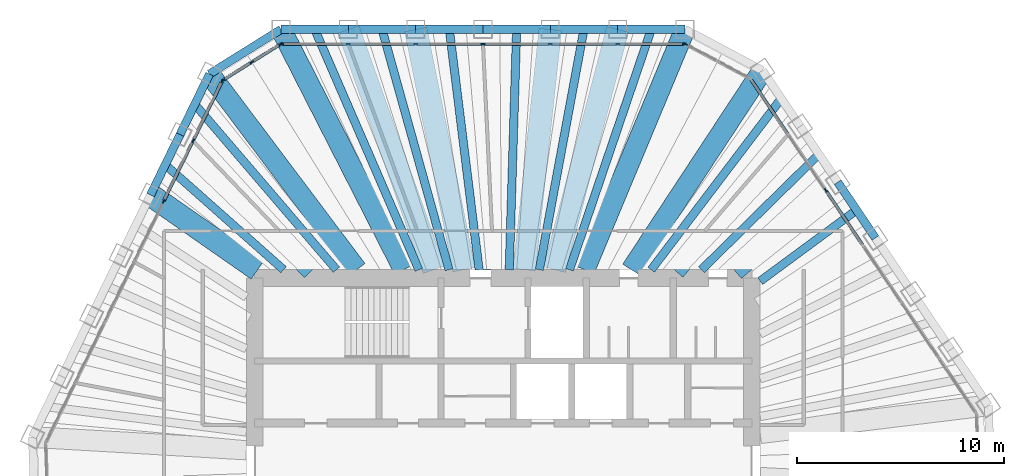
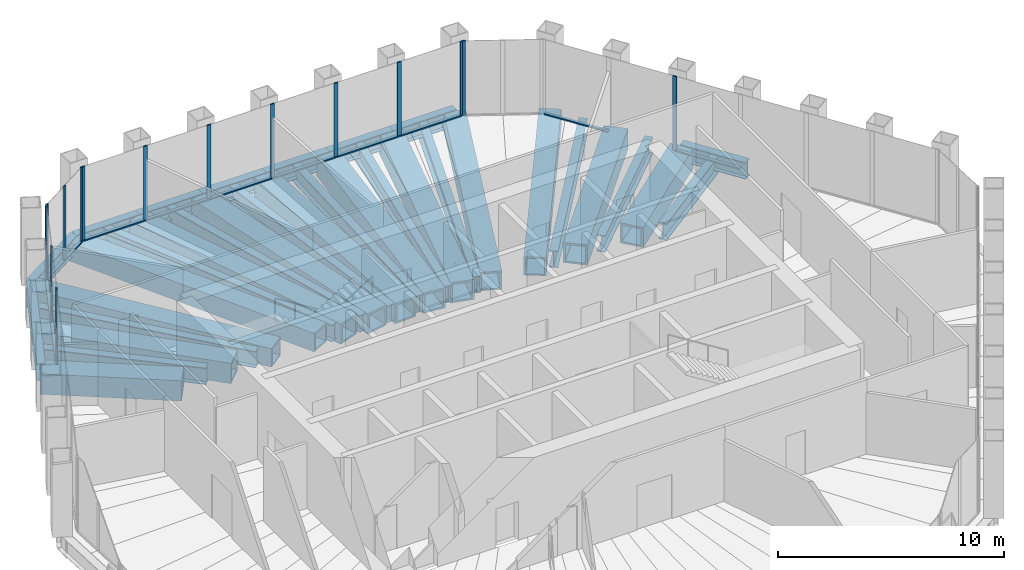
# One storey, part 7 of 14: 34 beams, 27 members, 5 elements without a shape of their own.
"""IFC4 building model written with IfcOpenShell, lengths in metres."""

from ifc_helpers import new_model, si_unit, direction, frame, origin, origin_2d, place, context, subcontext, project, spatial, rectangle, hollow_rectangle, i_section, extrude, material, material_profile, profile_set, type_object, element, aggregate, save


model = new_model("IFC4")

# Units and contexts
model_context = context("Model", 3, precision=1e-05, world=origin(), true_north=direction((0.0, 1.0)))
body_context = subcontext(model_context, "Body", "Model", "MODEL_VIEW")
ifc_project = project(units=[si_unit("LENGTHUNIT", "METRE"), si_unit("AREAUNIT", "SQUARE_METRE"), si_unit("VOLUMEUNIT", "CUBIC_METRE"), si_unit("PLANEANGLEUNIT", "RADIAN"), si_unit("MASSUNIT", "GRAM", prefix="KILO")], contexts=[model_context])

# Site, building, storey
site_placement = place(None, origin())
site = spatial("IfcSite", under=ifc_project, at=site_placement, CompositionType="ELEMENT")
building_placement = place(site_placement, origin())
building = spatial("IfcBuilding", under=site, at=building_placement, Name="Qingtian Harvest Tower", CompositionType="ELEMENT")
storey_placement = place(building_placement, frame((0.0, 0.0, 304.0)))
storey = spatial("IfcBuildingStorey", under=building, at=storey_placement, Name="L67", CompositionType="ELEMENT", Elevation=304.0)

# Beams
ifc_material_1 = material(Name="Steel SN490B", Category="steel")
ifc_material_profile_1 = material_profile(ifc_material_1, i_section(OverallWidth=0.39990234375, OverallDepth=0.89990234375, WebThickness=0.01904296875, FlangeThickness=0.035888671875, at=origin_2d()), Name="H900x400x19x36")
ifc_profile_set_1 = profile_set([ifc_material_profile_1], Name="Steel SN490B")
beam_type_1 = type_object("IfcBeamType", Name="Floor joist J4 H900x400x19x36", PredefinedType="JOIST", material=ifc_profile_set_1)
beam_1_placement = place(storey_placement, frame((-9.09814453125, 21.0, -0.6201171875), z_axis=(0.39753589741, -0.917586622761, 0.0), x_axis=(0.917586622761, 0.39753589741, 0.0)))
element("IfcBeam", 1, at=beam_1_placement, inside=storey, type_object=beam_type_1, Name="Floor joist J4 N0", PredefinedType="JOIST", context=body_context, shape_type="SweptSolid", body=[
    extrude(i_section(OverallWidth=0.39990234375, OverallDepth=0.89990234375, WebThickness=0.01904296875, FlangeThickness=0.035888671875, at=origin_2d()), origin(), (0.0, 0.0, 1.0), 12.641845703125),
])
beam_2_placement = place(storey_placement, frame((-5.85009765625, 21.0, -0.6201171875), z_axis=(0.268352758425, -0.963320713494, 0.0), x_axis=(0.963320713494, 0.268352758425, 0.0)))
element("IfcBeam", 2, at=beam_2_placement, inside=storey, type_object=beam_type_1, Name="Floor joist J4 N1", PredefinedType="JOIST", context=body_context, shape_type="SweptSolid", body=[
    extrude(i_section(OverallWidth=0.39990234375, OverallDepth=0.89990234375, WebThickness=0.01904296875, FlangeThickness=0.035888671875, at=origin_2d()), origin(), (0.0, 0.0, 1.0), 12.041748046875),
])
beam_3_placement = place(storey_placement, frame((-2.602294921875, 21.0, -0.6201171875), z_axis=(0.122980691304, -0.992409063626, 0.0), x_axis=(0.992409063626, 0.122980691304, 0.0)))
element("IfcBeam", 3, at=beam_3_placement, inside=storey, type_object=beam_type_1, Name="Floor joist J4 N2", PredefinedType="JOIST", context=body_context, shape_type="SweptSolid", body=[
    extrude(i_section(OverallWidth=0.39990234375, OverallDepth=0.89990234375, WebThickness=0.01904296875, FlangeThickness=0.035888671875, at=origin_2d()), origin(), (0.0, 0.0, 1.0), 11.688720703125),
])
beam_4_placement = place(storey_placement, frame((0.645751953125, 21.0, -0.6201171875), z_axis=(-0.030734305856, -0.999527589636, 0.0), x_axis=(0.999527589636, -0.030734305856, 0.0)))
element("IfcBeam", 4, at=beam_4_placement, inside=storey, type_object=beam_type_1, Name="Floor joist J4 N3", PredefinedType="JOIST", context=body_context, shape_type="SweptSolid", body=[
    extrude(i_section(OverallWidth=0.39990234375, OverallDepth=0.89990234375, WebThickness=0.01904296875, FlangeThickness=0.035888671875, at=origin_2d()), origin(), (0.0, 0.0, 1.0), 11.60546875),
])
beam_5_placement = place(storey_placement, frame((3.893798828125, 21.0, -0.6201171875), z_axis=(-0.182311561934, -0.983240812001, 0.0), x_axis=(0.983240812001, -0.182311561934, 0.0)))
element("IfcBeam", 5, at=beam_5_placement, inside=storey, type_object=beam_type_1, Name="Floor joist J4 N4", PredefinedType="JOIST", context=body_context, shape_type="SweptSolid", body=[
    extrude(i_section(OverallWidth=0.39990234375, OverallDepth=0.89990234375, WebThickness=0.01904296875, FlangeThickness=0.035888671875, at=origin_2d()), origin(), (0.0, 0.0, 1.0), 11.7978515625),
])
beam_6_placement = place(storey_placement, frame((7.141845703125, 21.0, -0.6201171875), z_axis=(-0.321978462512, -0.946746993488, 0.0), x_axis=(0.946746993488, -0.321978462512, 0.0)))
element("IfcBeam", 6, at=beam_6_placement, inside=storey, type_object=beam_type_1, Name="Floor joist J4 N5", PredefinedType="JOIST", context=body_context, shape_type="SweptSolid", body=[
    extrude(i_section(OverallWidth=0.39990234375, OverallDepth=0.89990234375, WebThickness=0.01904296875, FlangeThickness=0.035888671875, at=origin_2d()), origin(), (0.0, 0.0, 1.0), 12.252685546875),
])
beam_7_placement = place(storey_placement, frame((13.416015625, 17.6640625, -0.6201171875), z_axis=(-0.604829724016, -0.796354823522, 0.0), x_axis=(0.796354823522, -0.604829724016, 0.0)))
element("IfcBeam", 7, at=beam_7_placement, inside=storey, type_object=beam_type_1, Name="Floor joist J4 NE0", PredefinedType="JOIST", context=body_context, shape_type="SweptSolid", body=[
    extrude(i_section(OverallWidth=0.39990234375, OverallDepth=0.89990234375, WebThickness=0.01904296875, FlangeThickness=0.035888671875, at=origin_2d()), origin(), (0.0, 0.0, 1.0), 10.37744140625),
])
beam_8_placement = place(storey_placement, frame((15.232421875, 14.97119140625, -0.6201171875), z_axis=(-0.713193091885, -0.700967626704, 0.0), x_axis=(0.700967626704, -0.713193091885, 0.0)))
element("IfcBeam", 8, at=beam_8_placement, inside=storey, type_object=beam_type_1, Name="Floor joist J4 NE1", PredefinedType="JOIST", context=body_context, shape_type="SweptSolid", body=[
    extrude(i_section(OverallWidth=0.39990234375, OverallDepth=0.89990234375, WebThickness=0.01904296875, FlangeThickness=0.035888671875, at=origin_2d()), origin(), (0.0, 0.0, 1.0), 7.947998046875),
])
beam_9_placement = place(storey_placement, frame((17.048583984375, 12.278564453125, -0.6201171875), z_axis=(-0.804797608796, -0.59354933146, 0.0), x_axis=(0.59354933146, -0.804797608796, 0.0)))
element("IfcBeam", 9, at=beam_9_placement, inside=storey, type_object=beam_type_1, Name="Floor joist J4 NE2", PredefinedType="JOIST", context=body_context, shape_type="SweptSolid", body=[
    extrude(i_section(OverallWidth=0.39990234375, OverallDepth=0.89990234375, WebThickness=0.01904296875, FlangeThickness=0.035888671875, at=origin_2d()), origin(), (0.0, 0.0, 1.0), 5.776123046875),
])
beam_10_placement = place(storey_placement, frame((-16.31005859375, 14.4638671875, -0.6201171875), z_axis=(0.748174776717, -0.663501698177, 0.0), x_axis=(0.663501698177, 0.748174776717, 0.0)))
element("IfcBeam", 10, at=beam_10_placement, inside=storey, type_object=beam_type_1, Name="Floor joist J4 NW4", PredefinedType="JOIST", context=body_context, shape_type="SweptSolid", body=[
    extrude(i_section(OverallWidth=0.39990234375, OverallDepth=0.89990234375, WebThickness=0.01904296875, FlangeThickness=0.035888671875, at=origin_2d()), origin(), (0.0, 0.0, 1.0), 7.632080078125),
])
beam_11_placement = place(storey_placement, frame((-14.88623046875, 17.38330078125, -0.6201171875), z_axis=(0.650435500933, -0.75956149134, 0.0), x_axis=(0.75956149134, 0.650435500933, 0.0)))
element("IfcBeam", 11, at=beam_11_placement, inside=storey, type_object=beam_type_1, Name="Floor joist J4 NW5", PredefinedType="JOIST", context=body_context, shape_type="SweptSolid", body=[
    extrude(i_section(OverallWidth=0.39990234375, OverallDepth=0.89990234375, WebThickness=0.01904296875, FlangeThickness=0.035888671875, at=origin_2d()), origin(), (0.0, 0.0, 1.0), 10.510498046875),
])

# Curtain wall, members
ifc_material_2 = material(Name="Bronze-anodised aluminium curtain wall", Category="aluminium")
curtain_wall_type = type_object("IfcCurtainWallType", Name="Curtain wall CW5 upper office", PredefinedType="USERDEFINED", material=ifc_material_2)
curtain_wall_1_placement = place(storey_placement, origin())
curtain_wall_1 = element("IfcCurtainWall", 12, at=curtain_wall_1_placement, inside=storey, type_object=curtain_wall_type, Name="Curtain wall CW5 L67 N0-5", ObjectType="RECESSED CURTAIN WALL", PredefinedType="USERDEFINED")
ifc_material_3 = material(Name="Bronze-anodised aluminium mullion", Category="aluminium")
ifc_material_profile_2 = material_profile(ifc_material_3, rectangle(XDim=0.06494140625, YDim=0.199951171875, at=origin_2d()), Name="AL 65x200")
ifc_profile_set_2 = profile_set([ifc_material_profile_2], Name="Bronze-anodised aluminium mullion")
member_type_1 = type_object("IfcMemberType", Name="Mullion CWM 65x200", PredefinedType="MULLION", material=ifc_profile_set_2)
member_1_placement = place(storey_placement, frame((-10.689697265625, 20.300048828125, 0.0), z_axis=(0.0, 0.0, 1.0), x_axis=(0.0, 1.0, 0.0)))
member_1 = element("IfcMember", 13, at=member_1_placement, type_object=member_type_1, Name="CW5 mullion 1", PredefinedType="MULLION", context=body_context, shape_type="SweptSolid", body=[
    extrude(rectangle(XDim=0.06494140625, YDim=0.199951171875, at=origin_2d()), origin(), (0.0, 0.0, 1.0), 4.030029296875),
])
member_2_placement = place(storey_placement, frame((-7.47412109375, 20.300048828125, 0.0), z_axis=(0.0, 0.0, 1.0), x_axis=(0.0, 1.0, 0.0)))
member_2 = element("IfcMember", 14, at=member_2_placement, type_object=member_type_1, Name="CW5 mullion 2", PredefinedType="MULLION", context=body_context, shape_type="SweptSolid", body=[
    extrude(rectangle(XDim=0.06494140625, YDim=0.199951171875, at=origin_2d()), origin(), (0.0, 0.0, 1.0), 4.030029296875),
])
member_3_placement = place(storey_placement, frame((-4.226318359375, 20.300048828125, 0.0), z_axis=(0.0, 0.0, 1.0), x_axis=(0.0, 1.0, 0.0)))
member_3 = element("IfcMember", 15, at=member_3_placement, type_object=member_type_1, Name="CW5 mullion 3", PredefinedType="MULLION", context=body_context, shape_type="SweptSolid", body=[
    extrude(rectangle(XDim=0.06494140625, YDim=0.199951171875, at=origin_2d()), origin(), (0.0, 0.0, 1.0), 4.030029296875),
])
member_4_placement = place(storey_placement, frame((-0.978271484375, 20.300048828125, 0.0), z_axis=(0.0, 0.0, 1.0), x_axis=(0.0, 1.0, 0.0)))
member_4 = element("IfcMember", 16, at=member_4_placement, type_object=member_type_1, Name="CW5 mullion 4", PredefinedType="MULLION", context=body_context, shape_type="SweptSolid", body=[
    extrude(rectangle(XDim=0.06494140625, YDim=0.199951171875, at=origin_2d()), origin(), (0.0, 0.0, 1.0), 4.030029296875),
])
member_5_placement = place(storey_placement, frame((2.269775390625, 20.300048828125, 0.0), z_axis=(0.0, 0.0, 1.0), x_axis=(0.0, 1.0, 0.0)))
member_5 = element("IfcMember", 17, at=member_5_placement, type_object=member_type_1, Name="CW5 mullion 5", PredefinedType="MULLION", context=body_context, shape_type="SweptSolid", body=[
    extrude(rectangle(XDim=0.06494140625, YDim=0.199951171875, at=origin_2d()), origin(), (0.0, 0.0, 1.0), 4.030029296875),
])
member_6_placement = place(storey_placement, frame((5.517822265625, 20.300048828125, 0.0), z_axis=(0.0, 0.0, 1.0), x_axis=(0.0, 1.0, 0.0)))
member_6 = element("IfcMember", 18, at=member_6_placement, type_object=member_type_1, Name="CW5 mullion 6", PredefinedType="MULLION", context=body_context, shape_type="SweptSolid", body=[
    extrude(rectangle(XDim=0.06494140625, YDim=0.199951171875, at=origin_2d()), origin(), (0.0, 0.0, 1.0), 4.030029296875),
])
member_7_placement = place(storey_placement, frame((8.7333984375, 20.300048828125, 0.0), z_axis=(0.0, 0.0, 1.0), x_axis=(0.0, 1.0, 0.0)))
member_7 = element("IfcMember", 19, at=member_7_placement, type_object=member_type_1, Name="CW5 mullion 7", PredefinedType="MULLION", context=body_context, shape_type="SweptSolid", body=[
    extrude(rectangle(XDim=0.06494140625, YDim=0.199951171875, at=origin_2d()), origin(), (0.0, 0.0, 1.0), 4.030029296875),
])

# Curtain wall, member
curtain_wall_2_placement = place(storey_placement, origin())
curtain_wall_2 = element("IfcCurtainWall", 20, at=curtain_wall_2_placement, inside=storey, type_object=curtain_wall_type, Name="Curtain wall CW5 L67 NC", ObjectType="RECESSED CURTAIN WALL", PredefinedType="USERDEFINED")
member_8_placement = place(storey_placement, frame((8.794677734375, 20.28466796875, 0.0), z_axis=(0.0, 0.0, 1.0), x_axis=(0.469471562786, 0.882947592859, 0.0)))
member_8 = element("IfcMember", 21, at=member_8_placement, type_object=member_type_1, Name="CW5 mullion 1", PredefinedType="MULLION", context=body_context, shape_type="SweptSolid", body=[
    extrude(rectangle(XDim=0.06494140625, YDim=0.199951171875, at=origin_2d()), origin(), (0.0, 0.0, 1.0), 4.030029296875),
])
aggregate(curtain_wall_2, [member_8])

curtain_wall_3_placement = place(storey_placement, origin())
curtain_wall_3 = element("IfcCurtainWall", 22, at=curtain_wall_3_placement, inside=storey, type_object=curtain_wall_type, Name="Curtain wall CW5 L67 NE0-5", ObjectType="RECESSED CURTAIN WALL", PredefinedType="USERDEFINED")
member_9_placement = place(storey_placement, frame((15.56005859375, 13.2333984375, 0.0), z_axis=(0.0, 0.0, 1.0), x_axis=(0.829037572555, 0.559192903471, 0.0)))
member_9 = element("IfcMember", 23, at=member_9_placement, type_object=member_type_1, Name="CW5 mullion 3", PredefinedType="MULLION", context=body_context, shape_type="SweptSolid", body=[
    extrude(rectangle(XDim=0.06494140625, YDim=0.199951171875, at=origin_2d()), origin(), (0.0, 0.0, 1.0), 4.030029296875),
])

# Curtain wall, members
curtain_wall_4_placement = place(storey_placement, origin())
curtain_wall_4 = element("IfcCurtainWall", 24, at=curtain_wall_4_placement, inside=storey, type_object=curtain_wall_type, Name="Curtain wall CW5 L67 NW0-5", ObjectType="RECESSED CURTAIN WALL", PredefinedType="USERDEFINED")
member_10_placement = place(storey_placement, frame((-16.392822265625, 12.697509765625, 0.0), z_axis=(0.0, 0.0, 1.0), x_axis=(-0.898794046299, 0.438371146789, 0.0)))
member_10 = element("IfcMember", 25, at=member_10_placement, type_object=member_type_1, Name="CW5 mullion 5", PredefinedType="MULLION", context=body_context, shape_type="SweptSolid", body=[
    extrude(rectangle(XDim=0.06494140625, YDim=0.199951171875, at=origin_2d()), origin(), (0.0, 0.0, 1.0), 4.030029296875),
])
member_11_placement = place(storey_placement, frame((-14.968994140625, 15.61669921875, 0.0), z_axis=(0.0, 0.0, 1.0), x_axis=(-0.898794046299, 0.438371146789, 0.0)))
member_11 = element("IfcMember", 26, at=member_11_placement, type_object=member_type_1, Name="CW5 mullion 6", PredefinedType="MULLION", context=body_context, shape_type="SweptSolid", body=[
    extrude(rectangle(XDim=0.06494140625, YDim=0.199951171875, at=origin_2d()), origin(), (0.0, 0.0, 1.0), 4.030029296875),
])
member_12_placement = place(storey_placement, frame((-13.559326171875, 18.5068359375, 0.0), z_axis=(0.0, 0.0, 1.0), x_axis=(-0.898794046299, 0.438371146789, 0.0)))
member_12 = element("IfcMember", 27, at=member_12_placement, type_object=member_type_1, Name="CW5 mullion 7", PredefinedType="MULLION", context=body_context, shape_type="SweptSolid", body=[
    extrude(rectangle(XDim=0.06494140625, YDim=0.199951171875, at=origin_2d()), origin(), (0.0, 0.0, 1.0), 4.030029296875),
])

curtain_wall_5_placement = place(storey_placement, origin())
curtain_wall_5 = element("IfcCurtainWall", 28, at=curtain_wall_5_placement, inside=storey, type_object=curtain_wall_type, Name="Curtain wall CW5 L67 NWC", ObjectType="RECESSED CURTAIN WALL", PredefinedType="USERDEFINED")
member_13_placement = place(storey_placement, frame((-13.517578125, 18.55322265625, 0.0), z_axis=(0.0, 0.0, 1.0), x_axis=(-0.529919264233, 0.848048096156, 0.0)))
member_13 = element("IfcMember", 29, at=member_13_placement, type_object=member_type_1, Name="CW5 mullion 1", PredefinedType="MULLION", context=body_context, shape_type="SweptSolid", body=[
    extrude(rectangle(XDim=0.06494140625, YDim=0.199951171875, at=origin_2d()), origin(), (0.0, 0.0, 1.0), 4.030029296875),
])
member_14_placement = place(storey_placement, frame((-12.1337890625, 19.41796875, 0.0), z_axis=(0.0, 0.0, 1.0), x_axis=(-0.529919264233, 0.848048096156, 0.0)))
member_14 = element("IfcMember", 30, at=member_14_placement, type_object=member_type_1, Name="CW5 mullion 2", PredefinedType="MULLION", context=body_context, shape_type="SweptSolid", body=[
    extrude(rectangle(XDim=0.06494140625, YDim=0.199951171875, at=origin_2d()), origin(), (0.0, 0.0, 1.0), 4.030029296875),
])
member_15_placement = place(storey_placement, frame((-10.749755859375, 20.28271484375, 0.0), z_axis=(0.0, 0.0, 1.0), x_axis=(-0.529919264233, 0.848048096156, 0.0)))
member_15 = element("IfcMember", 31, at=member_15_placement, type_object=member_type_1, Name="CW5 mullion 3", PredefinedType="MULLION", context=body_context, shape_type="SweptSolid", body=[
    extrude(rectangle(XDim=0.06494140625, YDim=0.199951171875, at=origin_2d()), origin(), (0.0, 0.0, 1.0), 4.030029296875),
])

# Beams
ifc_material_4 = material(Name="Steel SN490B", Category="steel")
ifc_material_profile_3 = material_profile(ifc_material_4, i_section(OverallWidth=0.39990234375, OverallDepth=0.89990234375, WebThickness=0.01904296875, FlangeThickness=0.035888671875, at=origin_2d()), Name="H900x400x19x36")
ifc_profile_set_3 = profile_set([ifc_material_profile_3], Name="Steel SN490B")
beam_type_2 = type_object("IfcBeamType", Name="Spandrel beam SB4 H900x400x19x36", PredefinedType="SPANDREL", material=ifc_profile_set_3)
beam_12_placement = place(storey_placement, frame((-10.72216796875, 21.0, -0.449951171875), z_axis=(1.0, 0.0, 0.0), x_axis=(0.0, 1.0, 0.0)))
element("IfcBeam", 32, at=beam_12_placement, inside=storey, type_object=beam_type_2, Name="Spandrel SB4 N0", PredefinedType="SPANDREL", context=body_context, shape_type="SweptSolid", body=[
    extrude(i_section(OverallWidth=0.39990234375, OverallDepth=0.89990234375, WebThickness=0.01904296875, FlangeThickness=0.035888671875, at=origin_2d()), origin(), (0.0, 0.0, 1.0), 3.248046875),
])
beam_13_placement = place(storey_placement, frame((-7.47412109375, 21.0, -0.449951171875), z_axis=(1.0, 0.0, 0.0), x_axis=(0.0, 1.0, 0.0)))
element("IfcBeam", 33, at=beam_13_placement, inside=storey, type_object=beam_type_2, Name="Spandrel SB4 N1", PredefinedType="SPANDREL", context=body_context, shape_type="SweptSolid", body=[
    extrude(i_section(OverallWidth=0.39990234375, OverallDepth=0.89990234375, WebThickness=0.01904296875, FlangeThickness=0.035888671875, at=origin_2d()), origin(), (0.0, 0.0, 1.0), 3.247802734375),
])
for number, where, z_axis, x_axis, name in (
    (34, (-4.226318359375, 21.0, -0.449951171875), (1.0, 0.0, 0.0), (0.0, 1.0, 0.0), "Spandrel SB4 N2"),
    (35, (-0.978271484375, 21.0, -0.449951171875), (1.0, 0.0, 0.0), (0.0, 1.0, 0.0), "Spandrel SB4 N3"),
    (36, (2.269775390625, 21.0, -0.449951171875), (1.0, 0.0, 0.0), (0.0, 1.0, 0.0), "Spandrel SB4 N4"),
    (37, (5.517822265625, 21.0, -0.449951171875), (1.0, 0.0, 0.0), (0.0, 1.0, 0.0), "Spandrel SB4 N5"),
):
    element("IfcBeam", number, at=place(storey_placement, frame(where, z_axis=z_axis, x_axis=x_axis)), inside=storey, type_object=beam_type_2, Name=name, PredefinedType="SPANDREL", context=body_context, shape_type="SweptSolid", body=[
        extrude(i_section(OverallWidth=0.39990234375, OverallDepth=0.89990234375, WebThickness=0.01904296875, FlangeThickness=0.035888671875, at=origin_2d()), origin(), (0.0, 0.0, 1.0), 3.248046875),
    ])
for number, where, z_axis, x_axis, name in (
    (38, (16.140625, 13.624755859375, -0.449951171875), (0.559184924833, -0.829042954158, 0.0), (0.829042954158, 0.559184924833, 0.0), "Spandrel SB4 NE2"),
    (39, (-17.02197265625, 13.00439453125, -0.449951171875), (0.438382164311, 0.898788672611, 0.0), (-0.898788672611, 0.438382164311, 0.0), "Spandrel SB4 NW4"),
    (40, (-15.59814453125, 15.923583984375, -0.449951171875), (0.438382164311, 0.898788672611, 0.0), (-0.898788672611, 0.438382164311, 0.0), "Spandrel SB4 NW5"),
):
    element("IfcBeam", number, at=place(storey_placement, frame(where, z_axis=z_axis, x_axis=x_axis)), inside=storey, type_object=beam_type_2, Name=name, PredefinedType="SPANDREL", context=body_context, shape_type="SweptSolid", body=[
        extrude(i_section(OverallWidth=0.39990234375, OverallDepth=0.89990234375, WebThickness=0.01904296875, FlangeThickness=0.035888671875, at=origin_2d()), origin(), (0.0, 0.0, 1.0), 3.247802734375),
    ])
beam_14_placement = place(storey_placement, frame((-14.17431640625, 18.8427734375, -0.449951171875), z_axis=(0.848038733752, 0.529934246919, 0.0), x_axis=(-0.529934246919, 0.848038733752, 0.0)))
element("IfcBeam", 41, at=beam_14_placement, inside=storey, type_object=beam_type_2, Name="Spandrel SB4 NWC", PredefinedType="SPANDREL", context=body_context, shape_type="SweptSolid", body=[
    extrude(i_section(OverallWidth=0.39990234375, OverallDepth=0.89990234375, WebThickness=0.01904296875, FlangeThickness=0.035888671875, at=origin_2d()), origin(), (0.0, 0.0, 1.0), 4.07080078125),
])
ifc_material_5 = material(Name="Steel SM570MC", Category="steel")
ifc_material_profile_4 = material_profile(ifc_material_5, hollow_rectangle(XDim=1.0, YDim=1.0, WallThickness=0.080078125, at=origin_2d()), Name="BOX1000x1000x80")
ifc_profile_set_4 = profile_set([ifc_material_profile_4], Name="Steel SM570MC")
beam_type_3 = type_object("IfcBeamType", Name="Transfer corner beam FB11 BOX1000x1000x80", PredefinedType="BEAM", material=ifc_profile_set_4)
beam_15_placement = place(storey_placement, frame((-10.72216796875, 21.0, -0.669921875), z_axis=(0.454725592954, -0.890631593372, 0.0), x_axis=(0.890631593372, 0.454725592954, 0.0)))
element("IfcBeam", 42, at=beam_15_placement, inside=storey, type_object=beam_type_3, Name="Floor beam FB11 N0", PredefinedType="BEAM", context=body_context, shape_type="SweptSolid", body=[
    extrude(hollow_rectangle(XDim=1.0, YDim=1.0, WallThickness=0.080078125, at=origin_2d()), origin(), (0.0, 0.0, 1.0), 13.024658203125),
])
beam_16_placement = place(storey_placement, frame((8.765869140625, 21.0, -0.669921875), z_axis=(-0.385202803059, -0.922831945977, 0.0), x_axis=(0.922831945977, -0.385202803059, 0.0)))
element("IfcBeam", 43, at=beam_16_placement, inside=storey, type_object=beam_type_3, Name="Floor beam FB11 N6", PredefinedType="BEAM", context=body_context, shape_type="SweptSolid", body=[
    extrude(hollow_rectangle(XDim=1.0, YDim=1.0, WallThickness=0.080078125, at=origin_2d()), origin(), (0.0, 0.0, 1.0), 12.570068359375),
])
beam_17_placement = place(storey_placement, frame((12.508056640625, 19.01025390625, -0.669921875), z_axis=(-0.549655478371, -0.835391438247, 0.0), x_axis=(0.835391438247, -0.549655478371, 0.0)))
element("IfcBeam", 44, at=beam_17_placement, inside=storey, type_object=beam_type_3, Name="Floor beam FB11 NE0", PredefinedType="BEAM", context=body_context, shape_type="SweptSolid", body=[
    extrude(hollow_rectangle(XDim=1.0, YDim=1.0, WallThickness=0.080078125, at=origin_2d()), origin(), (0.0, 0.0, 1.0), 11.50390625),
])
beam_18_placement = place(storey_placement, frame((-14.17431640625, 18.8427734375, -0.669921875), z_axis=(0.601143201392, -0.799141321307, 0.0), x_axis=(0.799141321307, 0.601143201392, 0.0)))
element("IfcBeam", 45, at=beam_18_placement, inside=storey, type_object=beam_type_3, Name="Floor beam FB11 NW6", PredefinedType="BEAM", context=body_context, shape_type="SweptSolid", body=[
    extrude(hollow_rectangle(XDim=1.0, YDim=1.0, WallThickness=0.080078125, at=origin_2d()), origin(), (0.0, 0.0, 1.0), 11.816162109375),
])
ifc_material_6 = material(Name="Steel SM570MC", Category="steel")
ifc_material_profile_5 = material_profile(ifc_material_6, hollow_rectangle(XDim=1.10009765625, YDim=1.10009765625, WallThickness=0.10009765625, at=origin_2d()), Name="BOX1100x1100x100")
ifc_profile_set_5 = profile_set([ifc_material_profile_5], Name="Steel SM570MC")
beam_type_4 = type_object("IfcBeamType", Name="Transfer floor beam FB9 BOX1100x1100x100", PredefinedType="BEAM", material=ifc_profile_set_5)
beam_19_placement = place(storey_placement, frame((-7.47412109375, 21.0, -0.719970703125), z_axis=(0.335293644082, -0.942113672673, 0.0), x_axis=(0.942113672673, 0.335293644082, 0.0)))
element("IfcBeam", 46, at=beam_19_placement, inside=storey, type_object=beam_type_4, Name="Floor beam FB9 N1", PredefinedType="BEAM", context=body_context, shape_type="SweptSolid", body=[
    extrude(hollow_rectangle(XDim=1.10009765625, YDim=1.10009765625, WallThickness=0.10009765625, at=origin_2d()), origin(), (0.0, 0.0, 1.0), 12.312744140625),
])
beam_20_placement = place(storey_placement, frame((-4.226318359375, 21.0, -0.719970703125), z_axis=(0.197290474792, -0.980345076265, 0.0), x_axis=(0.980345076265, 0.197290474792, 0.0)))
element("IfcBeam", 47, at=beam_20_placement, inside=storey, type_object=beam_type_4, Name="Floor beam FB9 N2", PredefinedType="BEAM", context=body_context, shape_type="SweptSolid", body=[
    extrude(hollow_rectangle(XDim=1.10009765625, YDim=1.10009765625, WallThickness=0.10009765625, at=origin_2d()), origin(), (0.0, 0.0, 1.0), 11.832763671875),
])
beam_21_placement = place(storey_placement, frame((-0.978271484375, 21.0, -0.719970703125), z_axis=(0.046546287853, -0.998916134161, 0.0), x_axis=(0.998916134161, 0.046546287853, 0.0)))
element("IfcBeam", 48, at=beam_21_placement, inside=storey, type_object=beam_type_4, Name="Floor beam FB9 N3", PredefinedType="BEAM", context=body_context, shape_type="SweptSolid", body=[
    extrude(hollow_rectangle(XDim=1.10009765625, YDim=1.10009765625, WallThickness=0.10009765625, at=origin_2d()), origin(), (0.0, 0.0, 1.0), 11.61279296875),
])
beam_22_placement = place(storey_placement, frame((2.269775390625, 21.0, -0.719970703125), z_axis=(-0.107447744153, -0.994210733334, 0.0), x_axis=(0.994210733334, -0.107447744153, 0.0)))
element("IfcBeam", 49, at=beam_22_placement, inside=storey, type_object=beam_type_4, Name="Floor beam FB9 N4", PredefinedType="BEAM", context=body_context, shape_type="SweptSolid", body=[
    extrude(hollow_rectangle(XDim=1.10009765625, YDim=1.10009765625, WallThickness=0.10009765625, at=origin_2d()), origin(), (0.0, 0.0, 1.0), 11.667724609375),
])
beam_23_placement = place(storey_placement, frame((5.517822265625, 21.0, -0.719970703125), z_axis=(-0.254118548412, -0.967173078282, 0.0), x_axis=(0.967173078282, -0.254118548412, 0.0)))
element("IfcBeam", 50, at=beam_23_placement, inside=storey, type_object=beam_type_4, Name="Floor beam FB9 N5", PredefinedType="BEAM", context=body_context, shape_type="SweptSolid", body=[
    extrude(hollow_rectangle(XDim=1.10009765625, YDim=1.10009765625, WallThickness=0.10009765625, at=origin_2d()), origin(), (0.0, 0.0, 1.0), 11.993896484375),
])
beam_24_placement = place(storey_placement, frame((14.32421875, 16.317626953125, -0.719970703125), z_axis=(-0.659703637934, -0.751525854576, 0.0), x_axis=(0.751525854576, -0.659703637934, 0.0)))
element("IfcBeam", 51, at=beam_24_placement, inside=storey, type_object=beam_type_4, Name="Floor beam FB9 NE1", PredefinedType="BEAM", context=body_context, shape_type="SweptSolid", body=[
    extrude(hollow_rectangle(XDim=1.10009765625, YDim=1.10009765625, WallThickness=0.10009765625, at=origin_2d()), origin(), (0.0, 0.0, 1.0), 9.204833984375),
])
beam_25_placement = place(storey_placement, frame((16.140625, 13.624755859375, -0.719970703125), z_axis=(-0.764157701072, -0.645029462809, 0.0), x_axis=(0.645029462809, -0.764157701072, 0.0)))
element("IfcBeam", 52, at=beam_25_placement, inside=storey, type_object=beam_type_4, Name="Floor beam FB9 NE2", PredefinedType="BEAM", context=body_context, shape_type="SweptSolid", body=[
    extrude(hollow_rectangle(XDim=1.10009765625, YDim=1.10009765625, WallThickness=0.10009765625, at=origin_2d()), origin(), (0.0, 0.0, 1.0), 6.5498046875),
])
beam_26_placement = place(storey_placement, frame((-17.02197265625, 13.00439453125, -0.719970703125), z_axis=(0.820409176986, -0.571776864097, 0.0), x_axis=(0.571776864097, 0.820409176986, 0.0)))
element("IfcBeam", 53, at=beam_26_placement, inside=storey, type_object=beam_type_4, Name="Floor beam FB9 NW4", PredefinedType="BEAM", context=body_context, shape_type="SweptSolid", body=[
    extrude(hollow_rectangle(XDim=1.10009765625, YDim=1.10009765625, WallThickness=0.10009765625, at=origin_2d()), origin(), (0.0, 0.0, 1.0), 6.303955078125),
])
beam_27_placement = place(storey_placement, frame((-15.59814453125, 15.923583984375, -0.719970703125), z_axis=(0.699757003326, -0.714380946202, 0.0), x_axis=(0.714380946202, 0.699757003326, 0.0)))
element("IfcBeam", 54, at=beam_27_placement, inside=storey, type_object=beam_type_4, Name="Floor beam FB9 NW5", PredefinedType="BEAM", context=body_context, shape_type="SweptSolid", body=[
    extrude(hollow_rectangle(XDim=1.10009765625, YDim=1.10009765625, WallThickness=0.10009765625, at=origin_2d()), origin(), (0.0, 0.0, 1.0), 9.1318359375),
])

# Member
ifc_material_7 = material(Name="Bronze-anodised aluminium transom", Category="aluminium")
ifc_material_profile_6 = material_profile(ifc_material_7, rectangle(XDim=0.14990234375, YDim=0.06494140625, at=origin_2d()), Name="AL 65x150")
ifc_profile_set_6 = profile_set([ifc_material_profile_6], Name="Bronze-anodised aluminium transom")
member_type_2 = type_object("IfcMemberType", Name="Transom CWT 65x150", PredefinedType="USERDEFINED", material=ifc_profile_set_6)
member_16_placement = place(storey_placement, frame((-10.6572265625, 20.300048828125, 0.032470703125), z_axis=(1.0, 0.0, 0.0), x_axis=(0.0, 1.0, 0.0)))
member_16 = element("IfcMember", 55, at=member_16_placement, type_object=member_type_2, Name="CW5 transom 1.1", ObjectType="TRANSOM", PredefinedType="USERDEFINED", context=body_context, shape_type="SweptSolid", body=[
    extrude(rectangle(XDim=0.14990234375, YDim=0.06494140625, at=origin_2d()), origin(), (0.0, 0.0, 1.0), 3.150390625),
])

member_17_placement = place(storey_placement, frame((-7.441650390625, 20.300048828125, 0.032470703125), z_axis=(1.0, 0.0, 0.0), x_axis=(0.0, 1.0, 0.0)))
member_17 = element("IfcMember", 56, at=member_17_placement, type_object=member_type_2, Name="CW5 transom 2.1", ObjectType="TRANSOM", PredefinedType="USERDEFINED", context=body_context, shape_type="SweptSolid", body=[
    extrude(rectangle(XDim=0.14990234375, YDim=0.06494140625, at=origin_2d()), origin(), (0.0, 0.0, 1.0), 3.182861328125),
])

member_18_placement = place(storey_placement, frame((-4.193603515625, 20.300048828125, 0.032470703125), z_axis=(1.0, 0.0, 0.0), x_axis=(0.0, 1.0, 0.0)))
member_18 = element("IfcMember", 57, at=member_18_placement, type_object=member_type_2, Name="CW5 transom 3.1", ObjectType="TRANSOM", PredefinedType="USERDEFINED", context=body_context, shape_type="SweptSolid", body=[
    extrude(rectangle(XDim=0.14990234375, YDim=0.06494140625, at=origin_2d()), origin(), (0.0, 0.0, 1.0), 3.182861328125),
])

member_19_placement = place(storey_placement, frame((-0.94580078125, 20.300048828125, 0.032470703125), z_axis=(1.0, 0.0, 0.0), x_axis=(0.0, 1.0, 0.0)))
member_19 = element("IfcMember", 58, at=member_19_placement, type_object=member_type_2, Name="CW5 transom 4.1", ObjectType="TRANSOM", PredefinedType="USERDEFINED", context=body_context, shape_type="SweptSolid", body=[
    extrude(rectangle(XDim=0.14990234375, YDim=0.06494140625, at=origin_2d()), origin(), (0.0, 0.0, 1.0), 3.18310546875),
])

member_20_placement = place(storey_placement, frame((2.30224609375, 20.300048828125, 0.032470703125), z_axis=(1.0, 0.0, 0.0), x_axis=(0.0, 1.0, 0.0)))
member_20 = element("IfcMember", 59, at=member_20_placement, type_object=member_type_2, Name="CW5 transom 5.1", ObjectType="TRANSOM", PredefinedType="USERDEFINED", context=body_context, shape_type="SweptSolid", body=[
    extrude(rectangle(XDim=0.14990234375, YDim=0.06494140625, at=origin_2d()), origin(), (0.0, 0.0, 1.0), 3.18310546875),
])

member_21_placement = place(storey_placement, frame((5.55029296875, 20.300048828125, 0.032470703125), z_axis=(1.0, 0.0, 0.0), x_axis=(0.0, 1.0, 0.0)))
member_21 = element("IfcMember", 60, at=member_21_placement, type_object=member_type_2, Name="CW5 transom 6.1", ObjectType="TRANSOM", PredefinedType="USERDEFINED", context=body_context, shape_type="SweptSolid", body=[
    extrude(rectangle(XDim=0.14990234375, YDim=0.06494140625, at=origin_2d()), origin(), (0.0, 0.0, 1.0), 3.150634765625),
])

aggregate(curtain_wall_1, [member_1, member_2, member_3, member_4, member_5, member_6, member_7, member_16, member_17, member_18, member_19, member_20, member_21])

member_22_placement = place(storey_placement, frame((11.9638671875, 18.56494140625, 0.032470703125), z_axis=(0.559251907839, -0.828997770551, 0.0), x_axis=(0.828997770551, 0.559251907839, 0.0)))
member_22 = element("IfcMember", 61, at=member_22_placement, type_object=member_type_2, Name="CW5 transom 1.1", ObjectType="TRANSOM", PredefinedType="USERDEFINED", context=body_context, shape_type="SweptSolid", body=[
    extrude(rectangle(XDim=0.14990234375, YDim=0.06494140625, at=origin_2d()), origin(), (0.0, 0.0, 1.0), 3.150634765625),
])

member_23_placement = place(storey_placement, frame((15.578369140625, 13.20654296875, 0.032470703125), z_axis=(0.55920542009, -0.829029129852, 0.0), x_axis=(0.829029129852, 0.55920542009, 0.0)))
member_23 = element("IfcMember", 62, at=member_23_placement, type_object=member_type_2, Name="CW5 transom 3.1", ObjectType="TRANSOM", PredefinedType="USERDEFINED", context=body_context, shape_type="SweptSolid", body=[
    extrude(rectangle(XDim=0.14990234375, YDim=0.06494140625, at=origin_2d()), origin(), (0.0, 0.0, 1.0), 3.18310546875),
])

aggregate(curtain_wall_3, [member_9, member_22, member_23])

member_24_placement = place(storey_placement, frame((-16.378662109375, 12.7265625, 0.032470703125), z_axis=(0.438355626738, 0.898801615768, 0.0), x_axis=(-0.898801615768, 0.438355626738, 0.0)))
member_24 = element("IfcMember", 63, at=member_24_placement, type_object=member_type_2, Name="CW5 transom 5.1", ObjectType="TRANSOM", PredefinedType="USERDEFINED", context=body_context, shape_type="SweptSolid", body=[
    extrude(rectangle(XDim=0.14990234375, YDim=0.06494140625, at=origin_2d()), origin(), (0.0, 0.0, 1.0), 3.182861328125),
])

member_25_placement = place(storey_placement, frame((-14.954833984375, 15.64599609375, 0.032470703125), z_axis=(0.438388515075, 0.898785575012, 0.0), x_axis=(-0.898785575012, 0.438388515075, 0.0)))
member_25 = element("IfcMember", 64, at=member_25_placement, type_object=member_type_2, Name="CW5 transom 6.1", ObjectType="TRANSOM", PredefinedType="USERDEFINED", context=body_context, shape_type="SweptSolid", body=[
    extrude(rectangle(XDim=0.14990234375, YDim=0.06494140625, at=origin_2d()), origin(), (0.0, 0.0, 1.0), 3.150390625),
])

aggregate(curtain_wall_4, [member_10, member_11, member_12, member_24, member_25])

member_26_placement = place(storey_placement, frame((-13.489990234375, 18.570556640625, 0.032470703125), z_axis=(0.848015812303, 0.529970925697, 0.0), x_axis=(-0.529970925697, 0.848015812303, 0.0)))
member_26 = element("IfcMember", 65, at=member_26_placement, type_object=member_type_2, Name="CW5 transom 1.1", ObjectType="TRANSOM", PredefinedType="USERDEFINED", context=body_context, shape_type="SweptSolid", body=[
    extrude(rectangle(XDim=0.14990234375, YDim=0.06494140625, at=origin_2d()), origin(), (0.0, 0.0, 1.0), 1.566650390625),
])

member_27_placement = place(storey_placement, frame((-12.106201171875, 19.435302734375, 0.032470703125), z_axis=(0.848059570903, 0.529900900357, 0.0), x_axis=(-0.529900900357, 0.848059570903, 0.0)))
member_27 = element("IfcMember", 66, at=member_27_placement, type_object=member_type_2, Name="CW5 transom 2.1", ObjectType="TRANSOM", PredefinedType="USERDEFINED", context=body_context, shape_type="SweptSolid", body=[
    extrude(rectangle(XDim=0.14990234375, YDim=0.06494140625, at=origin_2d()), origin(), (0.0, 0.0, 1.0), 1.56689453125),
])

aggregate(curtain_wall_5, [member_13, member_14, member_15, member_26, member_27])

save(model, "model.ifc")
